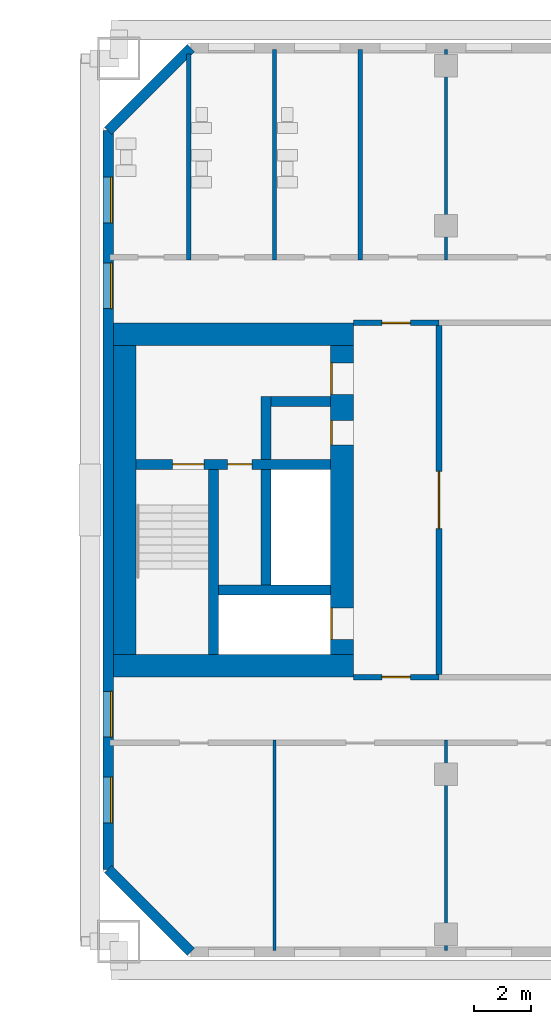
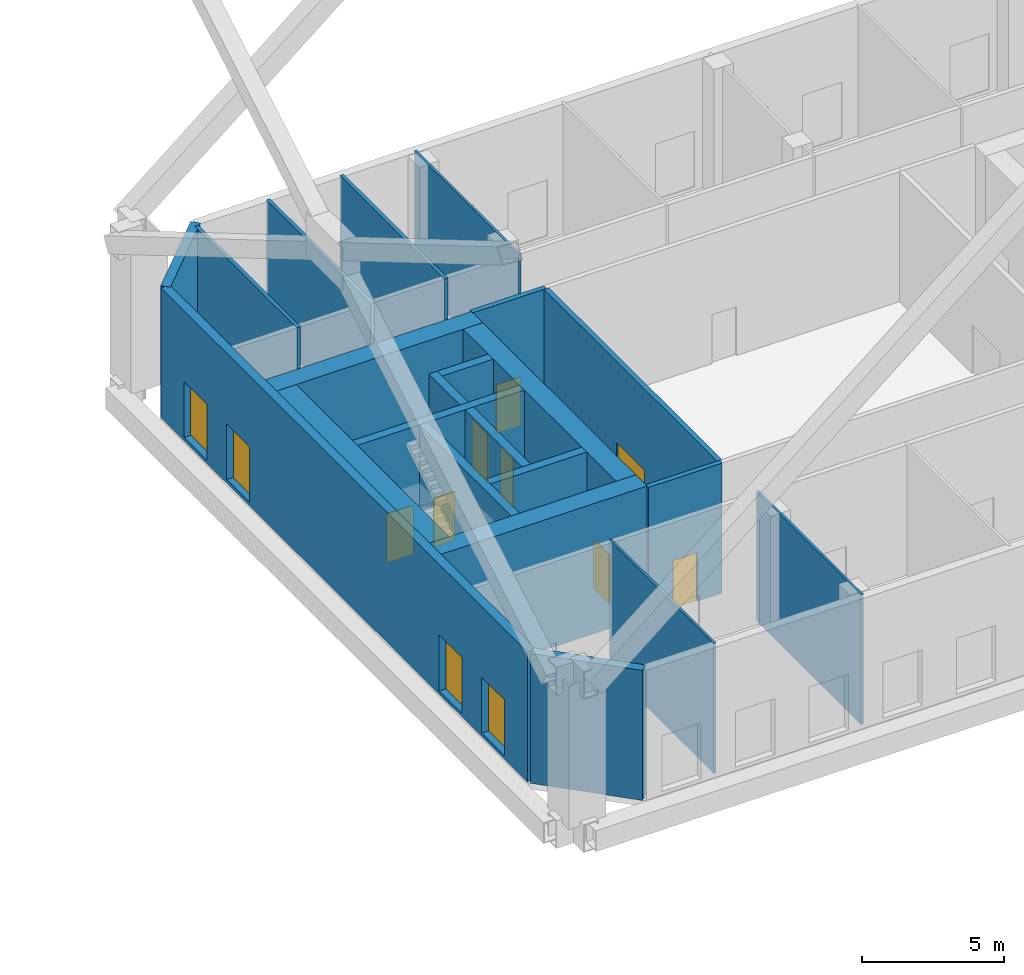
# One storey, part 13 of 20: 22 walls, 8 doors, 4 windows, 12 openings.
"""IFC4 building model written with IfcOpenShell, lengths in metres."""

import ifcopenshell
import ifcopenshell.guid

model = None  # the IFC model being written
_history = None  # IfcOwnerHistory: only IFC2X3 demands one
_inside = {}  # id of a spatial element -> (the spatial element, [elements in it])
_under = {}  # id of a project, library or spatial element -> (it, [spatial elements below it])
_declared = {}  # id of a project -> (the project, [libraries it declares])
_typed = {}  # id of a type object -> (the type object, [elements of that type])
_made_of = {}  # id of a material, layer set ... -> (it, [elements and type objects made of it])


def new_model(schema):
    """Start an empty IFC model of exactly this schema.

    Asked for "IFC4X3", IfcOpenShell would pick the latest addendum, in which some entities
    have other attributes; the version numbers below select the first issue.
    IFC2X3 requires an IfcOwnerHistory on every rooted entity: one is made here for all.
    """
    global model, _history
    if schema == "IFC4X3":
        model = ifcopenshell.file(schema_version=(4, 3, 0, 0))
    else:
        model = ifcopenshell.file(schema=schema)
    _inside.clear()
    _under.clear()
    _declared.clear()
    _typed.clear()
    _made_of.clear()
    _history = None
    if model.schema == "IFC2X3":
        org = make("IfcOrganization", Name="unknown")
        user = make(
            "IfcPersonAndOrganization",
            ThePerson=make("IfcPerson", FamilyName="unknown"),
            TheOrganization=org,
        )
        app = make(
            "IfcApplication",
            ApplicationDeveloper=org,
            Version="unknown",
            ApplicationFullName="unknown",
            ApplicationIdentifier="unknown",
        )
        _history = make(
            "IfcOwnerHistory",
            OwningUser=user,
            OwningApplication=app,
            ChangeAction="ADDED",
            CreationDate=0,
        )
    return model


def make(cls, **values):
    """One entity of the class cls with the attributes given. An attribute that is None is left unset."""
    return model.create_entity(
        cls, **{name: value for name, value in values.items() if value is not None}
    )


def rooted(cls, **values):
    """An entity with a GlobalId (a new one), such as an element, a storey or a relation."""
    return make(cls, GlobalId=ifcopenshell.guid.new(), OwnerHistory=_history, **values)


def si_unit(unit_type, name, prefix=None):
    """IfcSIUnit, for example si_unit("LENGTHUNIT", "METRE", prefix="MILLI")."""
    return make("IfcSIUnit", UnitType=unit_type, Prefix=prefix, Name=name)


def assignment(units):
    """IfcUnitAssignment: the units of a project."""
    return None if units is None else make("IfcUnitAssignment", Units=units)


def point(xyz):
    """IfcCartesianPoint."""
    return None if xyz is None else make("IfcCartesianPoint", Coordinates=xyz)


def direction(xyz):
    """IfcDirection."""
    return None if xyz is None else make("IfcDirection", DirectionRatios=xyz)


def frame(location, z_axis=None, x_axis=None):
    """IfcAxis2Placement3D, a coordinate frame: its origin and axes. An axis left out is left unset."""
    return make(
        "IfcAxis2Placement3D",
        Location=point(location),
        Axis=direction(z_axis),
        RefDirection=direction(x_axis),
    )


def frame_2d(location, x_axis=None):
    """IfcAxis2Placement2D, a coordinate frame in the plane: its origin and x axis."""
    return make(
        "IfcAxis2Placement2D", Location=point(location), RefDirection=direction(x_axis)
    )


def origin():
    """The frame at (0, 0, 0) with its axes left unset."""
    return frame((0.0, 0.0, 0.0))


def place(relative_to, where):
    """IfcLocalPlacement: puts the frame where relative to a parent placement (None: the world)."""
    return make(
        "IfcLocalPlacement", PlacementRelTo=relative_to, RelativePlacement=where
    )


def context(
    kind, dimensions, precision=None, world=None, true_north=None, identifier=None
):
    """IfcGeometricRepresentationContext, for example the 3D "Model" context."""
    return make(
        "IfcGeometricRepresentationContext",
        ContextIdentifier=identifier,
        ContextType=kind,
        CoordinateSpaceDimension=dimensions,
        Precision=precision,
        WorldCoordinateSystem=world,
        TrueNorth=true_north,
    )


def subcontext(parent, identifier, kind, view, scale=None):
    """IfcGeometricRepresentationSubContext, for example "Body" below "Model"."""
    return make(
        "IfcGeometricRepresentationSubContext",
        ContextIdentifier=identifier,
        ContextType=kind,
        ParentContext=parent,
        TargetScale=scale,
        TargetView=view,
    )


def project(units=None, contexts=None):
    """IfcProject with its units and contexts."""
    return rooted(
        "IfcProject",
        Name="project",
        RepresentationContexts=contexts,
        UnitsInContext=assignment(units),
    )


def spatial(cls, under=None, at=None, **own):
    """A site, building, storey or space (cls), placed at a placement, below another one or the project."""
    s = rooted(cls, ObjectPlacement=at, **own)
    if under is not None:
        _under.setdefault(under.id(), (under, []))[1].append(s)
    return s


def profile(cls, at=None, kind="AREA", **sizes):
    """A parametric profile (cls). Its sizes go by their IFC names, for example OverallWidth=200.0."""
    return make(cls, ProfileType=kind, Position=at, **sizes)


def rectangle(**sizes):
    """IfcRectangleProfileDef."""
    return profile("IfcRectangleProfileDef", **sizes)


def extrude(swept, where, along, depth):
    """IfcExtrudedAreaSolid: the profile swept, set in the frame where, extruded along a direction by depth."""
    return make(
        "IfcExtrudedAreaSolid",
        SweptArea=swept,
        Position=where,
        ExtrudedDirection=direction(along),
        Depth=depth,
    )


def shape(context_of_items, identifier, shape_type, items):
    """IfcShapeRepresentation: the items that make up one representation, for example the "Body"."""
    return make(
        "IfcShapeRepresentation",
        ContextOfItems=context_of_items,
        RepresentationIdentifier=identifier,
        RepresentationType=shape_type,
        Items=items,
    )


def material(Name=None, Category=None):
    """IfcMaterial."""
    return make("IfcMaterial", Name=Name, Category=Category)


def layer(
    of_material, thickness, ventilated=None, Name=None, Category=None, Priority=None
):
    """IfcMaterialLayer: one layer of a wall or slab, of a material (None: an air gap)."""
    return make(
        "IfcMaterialLayer",
        Material=of_material,
        LayerThickness=thickness,
        IsVentilated=ventilated,
        Name=Name,
        Category=Category,
        Priority=Priority,
    )


def layer_set(layers, Name=None):
    """IfcMaterialLayerSet."""
    return make("IfcMaterialLayerSet", MaterialLayers=layers, LayerSetName=Name)


def made_of(thing, what):
    """Note that an element or type object is made of a material, layer set ...; save() writes the relation."""
    if what is not None:
        _made_of.setdefault(what.id(), (what, []))[1].append(thing)
    return thing


def type_object(cls, material=None, **own):
    """A type object (cls), such as IfcWallType, which elements share."""
    return made_of(rooted(cls, **own), material)


def element(
    cls,
    number,
    at=None,
    inside=None,
    cuts=None,
    type_object=None,
    material=None,
    context=None,
    identifier="Body",
    shape_type=None,
    held_by="IfcProductDefinitionShape",
    body=None,
    shapes=None,
    **own,
):
    """One element of the class cls, such as IfcWall. Its Tag is "e" and its number.

    at: its placement. inside: the storey or other place that contains it. cuts: it is an
    opening in that element (IfcRelVoidsElement). A single representation is given by context,
    identifier, shape_type and body (its items); several are given by shapes. held_by: the class
    of the entity that holds the representations. save() writes the other relations.
    """
    e = rooted(cls, Tag="e%d" % number, ObjectPlacement=at, **own)
    if body is not None:
        shapes = [shape(context, identifier, shape_type, body)]
    if shapes is not None:
        e.Representation = make(held_by, Representations=shapes)
    if inside is not None:
        _inside.setdefault(inside.id(), (inside, []))[1].append(e)
    if cuts is not None:
        rooted(
            "IfcRelVoidsElement", RelatingBuildingElement=cuts, RelatedOpeningElement=e
        )
    if type_object is not None:
        _typed.setdefault(type_object.id(), (type_object, []))[1].append(e)
    return made_of(e, material)


def fill(opening, filler):
    """IfcRelFillsElement: the door or window that sits in an opening."""
    return rooted(
        "IfcRelFillsElement",
        RelatingOpeningElement=opening,
        RelatedBuildingElement=filler,
    )


def aggregate(whole, parts):
    """IfcRelAggregates: a whole, such as a stair, and the parts it consists of."""
    return rooted("IfcRelAggregates", RelatingObject=whole, RelatedObjects=parts)


def save(model, path):
    """Write the relations noted so far, then the file.

    IfcRelAggregates (storeys below a building ...), IfcRelContainedInSpatialStructure (elements
    in a storey), IfcRelDefinesByType, IfcRelAssociatesMaterial and IfcRelDeclares: one each for
    every whole, place, type object, material and project.
    """
    for whole, parts in _under.values():
        aggregate(whole, parts)
    for where, things in _inside.values():
        rooted(
            "IfcRelContainedInSpatialStructure",
            RelatedElements=things,
            RelatingStructure=where,
        )
    for kind, things in _typed.values():
        rooted("IfcRelDefinesByType", RelatedObjects=things, RelatingType=kind)
    for what, things in _made_of.values():
        rooted("IfcRelAssociatesMaterial", RelatedObjects=things, RelatingMaterial=what)
    for by, libraries in _declared.values():
        rooted("IfcRelDeclares", RelatingContext=by, RelatedDefinitions=libraries)
    model.write(path)


model = new_model("IFC4")

# Units and contexts
model_context = context("Model", 3, precision=1e-05, world=origin(), true_north=direction((0.0, 1.0)))
body_context = subcontext(model_context, "Body", "Model", "MODEL_VIEW")
ifc_project = project(units=[si_unit("LENGTHUNIT", "METRE"), si_unit("AREAUNIT", "SQUARE_METRE"), si_unit("VOLUMEUNIT", "CUBIC_METRE"), si_unit("PLANEANGLEUNIT", "RADIAN"), si_unit("MASSUNIT", "GRAM", prefix="KILO")], contexts=[model_context])

# Site, building, storey
site_placement = place(None, origin())
site = spatial("IfcSite", under=ifc_project, at=site_placement, CompositionType="ELEMENT")
building_placement = place(site_placement, origin())
building = spatial("IfcBuilding", under=site, at=building_placement, Name="Tuart Gate Housing", CompositionType="ELEMENT")
storey_placement = place(building_placement, frame((0.0, 0.0, 38.10009765625)))
storey = spatial("IfcBuildingStorey", under=building, at=storey_placement, Name="L10", CompositionType="ELEMENT", Elevation=38.10009765625)

# Walls
ifc_material_1 = material(Name="Gypsum board on steel studs", Category="steel")
ifc_layer_1 = layer(ifc_material_1, 0.14990234375)
ifc_layer_set_1 = layer_set([ifc_layer_1], Name="Bathroom wall 150")
wall_type_1 = type_object("IfcWallType", Name="Bathroom wall 150", PredefinedType="PLUMBINGWALL", material=ifc_layer_set_1)
wall_1_placement = place(storey_placement, frame((134.0, 78.39990234375, 0.0), z_axis=(0.0, 0.0, 1.0), x_axis=(0.0, 1.0, 0.0)))
element("IfcWall", 1, at=wall_1_placement, inside=storey, type_object=wall_type_1, Name="Bathroom wall 150", PredefinedType="PLUMBINGWALL", context=body_context, shape_type="SweptSolid", body=[
    extrude(rectangle(XDim=7.211181640625, YDim=0.14990234375, at=frame_2d((3.60546875, 0.0))), origin(), (0.0, 0.0, 1.0), 5.599853515625),
])
for number, where, z_axis, x_axis, name in (
    (2, (137.0, 78.39990234375, 0.0), (0.0, 0.0, 1.0), (0.0, 1.0, 0.0), "Bathroom wall 150"),
    (3, (140.0, 78.39990234375, 0.0), (0.0, 0.0, 1.0), (0.0, 1.0, 0.0), "Bathroom wall 150"),
):
    element("IfcWall", number, at=place(storey_placement, frame(where, z_axis=z_axis, x_axis=x_axis)), inside=storey, type_object=wall_type_1, Name=name, PredefinedType="PLUMBINGWALL", context=body_context, shape_type="SweptSolid", body=[
        extrude(rectangle(XDim=7.360107421875, YDim=0.14990234375, at=frame_2d((3.68017578125, 0.0))), origin(), (0.0, 0.0, 1.0), 5.599853515625),
    ])
ifc_material_2 = material(Name="Brick", Category="masonry")
ifc_layer_2 = layer(ifc_material_2, 0.360107421875)
ifc_layer_set_2 = layer_set([ifc_layer_2], Name="Brick pier and spandrel wall 360")
wall_type_2 = type_object("IfcWallType", Name="Brick pier and spandrel wall 360", PredefinedType="STANDARD", material=ifc_layer_set_2)
for number, where, z_axis, x_axis, name in (
    (4, (131.179931640625, 57.07470703125, 0.0), (0.0, 0.0, 1.0), (0.707106781187, -0.707106781187, 0.0), "External wall B-SW L10"),
    (5, (134.07470703125, 85.820068359375, 0.0), (0.0, 0.0, 1.0), (-0.707106781187, -0.707106781187, 0.0), "External wall B-NW L10"),
):
    element("IfcWall", number, at=place(storey_placement, frame(where, z_axis=z_axis, x_axis=x_axis)), inside=storey, type_object=wall_type_2, Name=name, PredefinedType="STANDARD", context=body_context, shape_type="SweptSolid", body=[
        extrude(rectangle(XDim=4.09375, YDim=0.360107421875, at=frame_2d((2.046875, 0.0))), origin(), (0.0, 0.0, 1.0), 5.599853515625),
    ])

# Wall, openings, windows
wall_2_placement = place(storey_placement, frame((131.179931640625, 82.92529296875, 0.0), z_axis=(0.0, 0.0, 1.0), x_axis=(0.0, -1.0, 0.0)))
wall_2 = element("IfcWall", 6, at=wall_2_placement, inside=storey, type_object=wall_type_2, Name="External wall B-W L10", PredefinedType="STANDARD", context=body_context, shape_type="SweptSolid", body=[
    extrude(rectangle(XDim=25.850830078125, YDim=0.360107421875, at=frame_2d((12.92529296875, 0.0))), origin(), (0.0, 0.0, 1.0), 5.599853515625),
])
opening_1_placement = place(wall_2_placement, frame((1.62548828125, 0.0, 0.14990234375)))
opening_1 = element("IfcOpeningElement", 7, at=opening_1_placement, cuts=wall_2, Name="Opening W2", PredefinedType="OPENING", context=body_context, shape_type="SweptSolid", body=[
    extrude(rectangle(XDim=1.60009765625, YDim=2.39990234375, at=frame_2d((0.800048828125, 1.199951171875))), frame((0.0, 0.18994140625, 0.0), z_axis=(0.0, -1.0, 0.0), x_axis=(1.0, 0.0, 0.0)), (0.0, 0.0, 1.0), 0.380126953125),
])
opening_2_placement = place(wall_2_placement, frame((4.62548828125, 0.0, 0.14990234375)))
opening_2 = element("IfcOpeningElement", 8, at=opening_2_placement, cuts=wall_2, Name="Opening W2", PredefinedType="OPENING", context=body_context, shape_type="SweptSolid", body=[
    extrude(rectangle(XDim=1.60009765625, YDim=2.39990234375, at=frame_2d((0.800048828125, 1.199951171875))), frame((0.0, 0.18994140625, 0.0), z_axis=(0.0, -1.0, 0.0), x_axis=(1.0, 0.0, 0.0)), (0.0, 0.0, 1.0), 0.380126953125),
])
opening_3_placement = place(wall_2_placement, frame((19.62548828125, 0.0, 0.14990234375)))
opening_3 = element("IfcOpeningElement", 9, at=opening_3_placement, cuts=wall_2, Name="Opening W2", PredefinedType="OPENING", context=body_context, shape_type="SweptSolid", body=[
    extrude(rectangle(XDim=1.60009765625, YDim=2.39990234375, at=frame_2d((0.800048828125, 1.199951171875))), frame((0.0, 0.18994140625, 0.0), z_axis=(0.0, -1.0, 0.0), x_axis=(1.0, 0.0, 0.0)), (0.0, 0.0, 1.0), 0.380126953125),
])
opening_4_placement = place(wall_2_placement, frame((22.62548828125, 0.0, 0.14990234375)))
opening_4 = element("IfcOpeningElement", 10, at=opening_4_placement, cuts=wall_2, Name="Opening W2", PredefinedType="OPENING", context=body_context, shape_type="SweptSolid", body=[
    extrude(rectangle(XDim=1.60009765625, YDim=2.39990234375, at=frame_2d((0.800048828125, 1.199951171875))), frame((0.0, 0.18994140625, 0.0), z_axis=(0.0, -1.0, 0.0), x_axis=(1.0, 0.0, 0.0)), (0.0, 0.0, 1.0), 0.380126953125),
])
ifc_material_3 = material(Name="Aluminium frame with clear glass", Category="aluminium")
window_type = type_object("IfcWindowType", Name="Garden lounge window 1600 x 2400", PartitioningType="SINGLE_PANEL", PredefinedType="WINDOW", material=ifc_material_3)
window_1_placement = place(opening_1_placement, origin())
window_1 = element("IfcWindow", 11, at=window_1_placement, inside=storey, type_object=window_type, Name="Window W2", OverallHeight=2.39990234375, OverallWidth=1.60009765625, PartitioningType="SINGLE_PANEL", PredefinedType="WINDOW", context=body_context, shape_type="SweptSolid", body=[
    extrude(rectangle(XDim=1.60009765625, YDim=2.39990234375, at=frame_2d((0.800048828125, 1.199951171875))), frame((0.0, 0.150146484375, 0.0), z_axis=(0.0, -1.0, 0.0), x_axis=(1.0, 0.0, 0.0)), (0.0, 0.0, 1.0), 0.06005859375),
])
fill(opening_1, window_1)
window_2_placement = place(opening_2_placement, origin())
window_2 = element("IfcWindow", 12, at=window_2_placement, inside=storey, type_object=window_type, Name="Window W2", OverallHeight=2.39990234375, OverallWidth=1.60009765625, PartitioningType="SINGLE_PANEL", PredefinedType="WINDOW", context=body_context, shape_type="SweptSolid", body=[
    extrude(rectangle(XDim=1.60009765625, YDim=2.39990234375, at=frame_2d((0.800048828125, 1.199951171875))), frame((0.0, 0.150146484375, 0.0), z_axis=(0.0, -1.0, 0.0), x_axis=(1.0, 0.0, 0.0)), (0.0, 0.0, 1.0), 0.06005859375),
])
fill(opening_2, window_2)
window_3_placement = place(opening_3_placement, origin())
window_3 = element("IfcWindow", 13, at=window_3_placement, inside=storey, type_object=window_type, Name="Window W2", OverallHeight=2.39990234375, OverallWidth=1.60009765625, PartitioningType="SINGLE_PANEL", PredefinedType="WINDOW", context=body_context, shape_type="SweptSolid", body=[
    extrude(rectangle(XDim=1.60009765625, YDim=2.39990234375, at=frame_2d((0.800048828125, 1.199951171875))), frame((0.0, 0.150146484375, 0.0), z_axis=(0.0, -1.0, 0.0), x_axis=(1.0, 0.0, 0.0)), (0.0, 0.0, 1.0), 0.06005859375),
])
fill(opening_3, window_3)
window_4_placement = place(opening_4_placement, origin())
window_4 = element("IfcWindow", 14, at=window_4_placement, inside=storey, type_object=window_type, Name="Window W2", OverallHeight=2.39990234375, OverallWidth=1.60009765625, PartitioningType="SINGLE_PANEL", PredefinedType="WINDOW", context=body_context, shape_type="SweptSolid", body=[
    extrude(rectangle(XDim=1.60009765625, YDim=2.39990234375, at=frame_2d((0.800048828125, 1.199951171875))), frame((0.0, 0.150146484375, 0.0), z_axis=(0.0, -1.0, 0.0), x_axis=(1.0, 0.0, 0.0)), (0.0, 0.0, 1.0), 0.06005859375),
])
fill(opening_4, window_4)

# Wall
ifc_material_4 = material(Name="Concrete C60", Category="concrete")
ifc_layer_3 = layer(ifc_material_4, 0.35009765625)
ifc_layer_set_3 = layer_set([ifc_layer_3], Name="Core wall 350 C60")
wall_type_3 = type_object("IfcWallType", Name="Core wall 350 C60", PredefinedType="SHEAR", material=ifc_layer_set_3)
wall_3_placement = place(storey_placement, frame((138.9599609375, 66.85009765625, 0.0), z_axis=(0.0, 0.0, 1.0), x_axis=(-1.0, 0.0, 0.0)))
element("IfcWall", 15, at=wall_3_placement, inside=storey, type_object=wall_type_3, Name="Core wall BG.1", PredefinedType="SHEAR", context=body_context, shape_type="SweptSolid", body=[
    extrude(rectangle(XDim=3.925048828125, YDim=0.35009765625, at=frame_2d((1.96240234375, 0.0))), origin(), (0.0, 0.0, 1.0), 5.599853515625),
])

# Wall, openings, doors
wall_4_placement = place(storey_placement, frame((138.9599609375, 71.25, 0.0), z_axis=(0.0, 0.0, 1.0), x_axis=(-1.0, 0.0, 0.0)))
wall_4 = element("IfcWall", 16, at=wall_4_placement, inside=storey, type_object=wall_type_3, Name="Core wall BG.2", PredefinedType="SHEAR", context=body_context, shape_type="SweptSolid", body=[
    extrude(rectangle(XDim=6.800048828125, YDim=0.35009765625, at=frame_2d((3.39990234375, 0.0))), origin(), (0.0, 0.0, 1.0), 5.599853515625),
])
opening_5_placement = place(wall_4_placement, frame((4.425048828125, 0.0, 0.0)))
opening_5 = element("IfcOpeningElement", 17, at=opening_5_placement, cuts=wall_4, Name="Opening D2833", PredefinedType="OPENING", context=body_context, shape_type="SweptSolid", body=[
    extrude(rectangle(XDim=1.10009765625, YDim=2.10009765625, at=frame_2d((0.550048828125, 1.050048828125))), frame((0.0, 0.18505859375, 0.0), z_axis=(0.0, -1.0, 0.0), x_axis=(1.0, 0.0, 0.0)), (0.0, 0.0, 1.0), 0.3701171875),
])
opening_6_placement = place(wall_4_placement, frame((2.75, 0.0, 0.0)))
opening_6 = element("IfcOpeningElement", 18, at=opening_6_placement, cuts=wall_4, Name="Opening D2832", PredefinedType="OPENING", context=body_context, shape_type="SweptSolid", body=[
    extrude(rectangle(XDim=0.85009765625, YDim=2.10009765625, at=frame_2d((0.425048828125, 1.050048828125))), frame((0.0, 0.18505859375, 0.0), z_axis=(0.0, -1.0, 0.0), x_axis=(1.0, 0.0, 0.0)), (0.0, 0.0, 1.0), 0.3701171875),
])
ifc_material_5 = material(Name="Steel fire door", Category="steel")
door_type_1 = type_object("IfcDoorType", Name="Riser door 850 x 2100", OperationType="SINGLE_SWING_LEFT", PredefinedType="DOOR", material=ifc_material_5)
door_1_placement = place(opening_6_placement, origin())
door_1 = element("IfcDoor", 19, at=door_1_placement, inside=storey, type_object=door_type_1, Name="Service room door BG.W1", OperationType="SINGLE_SWING_LEFT", OverallHeight=2.10009765625, OverallWidth=0.85009765625, PredefinedType="DOOR", context=body_context, shape_type="SweptSolid", body=[
    extrude(rectangle(XDim=0.85009765625, YDim=2.10009765625, at=frame_2d((0.425048828125, 1.050048828125))), frame((0.0, 0.02490234375, 0.0), z_axis=(0.0, -1.0, 0.0), x_axis=(1.0, 0.0, 0.0)), (0.0, 0.0, 1.0), 0.050048828125),
])
fill(opening_6, door_1)
ifc_material_6 = material(Name="Steel fire door", Category="steel")
door_type_2 = type_object("IfcDoorType", Name="Stair door 1100 x 2100", OperationType="SINGLE_SWING_LEFT", PredefinedType="DOOR", material=ifc_material_6)
door_2_placement = place(opening_5_placement, origin())
door_2 = element("IfcDoor", 20, at=door_2_placement, inside=storey, type_object=door_type_2, Name="Stair door BG.SD", OperationType="SINGLE_SWING_LEFT", OverallHeight=2.10009765625, OverallWidth=1.10009765625, PredefinedType="DOOR", context=body_context, shape_type="SweptSolid", body=[
    extrude(rectangle(XDim=1.10009765625, YDim=2.10009765625, at=frame_2d((0.550048828125, 1.050048828125))), frame((0.0, 0.02490234375, 0.0), z_axis=(0.0, -1.0, 0.0), x_axis=(1.0, 0.0, 0.0)), (0.0, 0.0, 1.0), 0.050048828125),
])
fill(opening_5, door_2)

# Walls
wall_5_placement = place(storey_placement, frame((138.9599609375, 73.449951171875, 0.0), z_axis=(0.0, 0.0, 1.0), x_axis=(-1.0, 0.0, 0.0)))
element("IfcWall", 21, at=wall_5_placement, inside=storey, type_object=wall_type_3, Name="Core wall BG.3", PredefinedType="SHEAR", context=body_context, shape_type="SweptSolid", body=[
    extrude(rectangle(XDim=2.074951171875, YDim=0.35009765625, at=frame_2d((1.03759765625, 0.0))), origin(), (0.0, 0.0, 1.0), 5.599853515625),
])
wall_6_placement = place(storey_placement, frame((136.7099609375, 67.02490234375, 0.0), z_axis=(0.0, 0.0, 1.0), x_axis=(0.0, 1.0, 0.0)))
element("IfcWall", 22, at=wall_6_placement, inside=storey, type_object=wall_type_3, Name="Core wall BG.4", PredefinedType="SHEAR", context=body_context, shape_type="SweptSolid", body=[
    extrude(rectangle(XDim=4.050048828125, YDim=0.35009765625, at=frame_2d((2.02490234375, 0.0))), origin(), (0.0, 0.0, 1.0), 5.599853515625),
])
wall_7_placement = place(storey_placement, frame((136.7099609375, 71.425048828125, 0.0), z_axis=(0.0, 0.0, 1.0), x_axis=(0.0, 1.0, 0.0)))
element("IfcWall", 23, at=wall_7_placement, inside=storey, type_object=wall_type_3, Name="Core wall BG.5", PredefinedType="SHEAR", context=body_context, shape_type="SweptSolid", body=[
    extrude(rectangle(XDim=2.199951171875, YDim=0.35009765625, at=frame_2d((1.10009765625, 0.0))), origin(), (0.0, 0.0, 1.0), 5.599853515625),
])
wall_8_placement = place(storey_placement, frame((134.860107421875, 64.60009765625, 0.0), z_axis=(0.0, 0.0, 1.0), x_axis=(0.0, 1.0, 0.0)))
element("IfcWall", 24, at=wall_8_placement, inside=storey, type_object=wall_type_3, Name="Core wall BG.6", PredefinedType="SHEAR", context=body_context, shape_type="SweptSolid", body=[
    extrude(rectangle(XDim=6.474853515625, YDim=0.35009765625, at=frame_2d((3.2373046875, 0.0))), origin(), (0.0, 0.0, 1.0), 5.599853515625),
])

# Wall, openings, doors
ifc_material_7 = material(Name="Concrete C60", Category="concrete")
ifc_layer_4 = layer(ifc_material_7, 0.800048828125)
ifc_layer_set_4 = layer_set([ifc_layer_4], Name="Core wall 800 C60")
wall_type_4 = type_object("IfcWallType", Name="Core wall 800 C60", PredefinedType="SHEAR", material=ifc_layer_set_4)
wall_9_placement = place(storey_placement, frame((139.360107421875, 64.60009765625, 0.0), z_axis=(0.0, 0.0, 1.0), x_axis=(0.0, 1.0, 0.0)))
wall_9 = element("IfcWall", 25, at=wall_9_placement, inside=storey, type_object=wall_type_4, Name="Core wall BG front", PredefinedType="SHEAR", context=body_context, shape_type="SweptSolid", body=[
    extrude(rectangle(XDim=10.7998046875, YDim=0.800048828125, at=frame_2d((5.39990234375, 0.0))), origin(), (0.0, 0.0, 1.0), 5.599853515625),
])
opening_7_placement = place(wall_9_placement, frame((0.52490234375, 0.0, 0.0)))
opening_7 = element("IfcOpeningElement", 26, at=opening_7_placement, cuts=wall_9, Name="Opening LD-FB1", PredefinedType="OPENING", context=body_context, shape_type="SweptSolid", body=[
    extrude(rectangle(XDim=1.10009765625, YDim=2.10009765625, at=frame_2d((0.550048828125, 1.050048828125))), frame((0.0, 0.409912109375, 0.0), z_axis=(0.0, -1.0, 0.0), x_axis=(1.0, 0.0, 0.0)), (0.0, 0.0, 1.0), 0.820068359375),
])
opening_8_placement = place(wall_9_placement, frame((9.10009765625, 0.0, 0.0)))
opening_8 = element("IfcOpeningElement", 27, at=opening_8_placement, cuts=wall_9, Name="Opening D2834", PredefinedType="OPENING", context=body_context, shape_type="SweptSolid", body=[
    extrude(rectangle(XDim=1.10009765625, YDim=2.10009765625, at=frame_2d((0.550048828125, 1.050048828125))), frame((0.0, 0.409912109375, 0.0), z_axis=(0.0, -1.0, 0.0), x_axis=(1.0, 0.0, 0.0)), (0.0, 0.0, 1.0), 0.820068359375),
])
opening_9_placement = place(wall_9_placement, frame((7.324951171875, 0.0, 0.0)))
opening_9 = element("IfcOpeningElement", 28, at=opening_9_placement, cuts=wall_9, Name="Opening D2835", PredefinedType="OPENING", context=body_context, shape_type="SweptSolid", body=[
    extrude(rectangle(XDim=0.85009765625, YDim=2.10009765625, at=frame_2d((0.425048828125, 1.050048828125))), frame((0.0, 0.409912109375, 0.0), z_axis=(0.0, -1.0, 0.0), x_axis=(1.0, 0.0, 0.0)), (0.0, 0.0, 1.0), 0.820068359375),
])
ifc_material_8 = material(Name="Stainless steel", Category="steel")
door_type_3 = type_object("IfcDoorType", Name="Landing door 1100 x 2100", OperationType="DOUBLE_DOOR_SLIDING", PredefinedType="DOOR", material=ifc_material_8)
door_3_placement = place(opening_7_placement, origin())
door_3 = element("IfcDoor", 29, at=door_3_placement, inside=storey, type_object=door_type_3, Name="Lift landing door FB1", OperationType="DOUBLE_DOOR_SLIDING", OverallHeight=2.10009765625, OverallWidth=1.10009765625, PredefinedType="DOOR", context=body_context, shape_type="SweptSolid", body=[
    extrude(rectangle(XDim=1.10009765625, YDim=2.10009765625, at=frame_2d((0.550048828125, 1.050048828125))), frame((0.0, 0.38525390625, 0.0), z_axis=(0.0, -1.0, 0.0), x_axis=(1.0, 0.0, 0.0)), (0.0, 0.0, 1.0), 0.050048828125),
])
fill(opening_7, door_3)
ifc_material_9 = material(Name="Steel fire door", Category="steel")
door_type_4 = type_object("IfcDoorType", Name="Lobby door 1100 x 2100", OperationType="SINGLE_SWING_LEFT", PredefinedType="DOOR", material=ifc_material_9)
door_4_placement = place(opening_8_placement, origin())
door_4 = element("IfcDoor", 30, at=door_4_placement, inside=storey, type_object=door_type_4, Name="Lobby entry door BG.EN", OperationType="SINGLE_SWING_LEFT", OverallHeight=2.10009765625, OverallWidth=1.10009765625, PredefinedType="DOOR", context=body_context, shape_type="SweptSolid", body=[
    extrude(rectangle(XDim=1.10009765625, YDim=2.10009765625, at=frame_2d((0.550048828125, 1.050048828125))), frame((0.0, 0.38525390625, 0.0), z_axis=(0.0, -1.0, 0.0), x_axis=(1.0, 0.0, 0.0)), (0.0, 0.0, 1.0), 0.050048828125),
])
fill(opening_8, door_4)
ifc_material_10 = material(Name="Steel fire door", Category="steel")
door_type_5 = type_object("IfcDoorType", Name="Service door 850 x 2100", OperationType="SINGLE_SWING_LEFT", PredefinedType="DOOR", material=ifc_material_10)
door_5_placement = place(opening_9_placement, origin())
door_5 = element("IfcDoor", 31, at=door_5_placement, inside=storey, type_object=door_type_5, Name="Service room door BG.T1", OperationType="SINGLE_SWING_LEFT", OverallHeight=2.10009765625, OverallWidth=0.85009765625, PredefinedType="DOOR", context=body_context, shape_type="SweptSolid", body=[
    extrude(rectangle(XDim=0.85009765625, YDim=2.10009765625, at=frame_2d((0.425048828125, 1.050048828125))), frame((0.0, 0.38525390625, 0.0), z_axis=(0.0, -1.0, 0.0), x_axis=(1.0, 0.0, 0.0)), (0.0, 0.0, 1.0), 0.050048828125),
])
fill(opening_9, door_5)

# Walls
wall_10_placement = place(storey_placement, frame((131.760009765625, 64.60009765625, 0.0), z_axis=(0.0, 0.0, 1.0), x_axis=(0.0, 1.0, 0.0)))
element("IfcWall", 32, at=wall_10_placement, inside=storey, type_object=wall_type_4, Name="Core wall BG back", PredefinedType="SHEAR", context=body_context, shape_type="SweptSolid", body=[
    extrude(rectangle(XDim=10.7998046875, YDim=0.800048828125, at=frame_2d((5.39990234375, 0.0))), origin(), (0.0, 0.0, 1.0), 5.599853515625),
])
for number, where, z_axis, x_axis, name in (
    (33, (139.760009765625, 64.199951171875, 0.0), (0.0, 0.0, 1.0), (-1.0, 0.0, 0.0), "Core wall BG south"),
    (34, (139.760009765625, 75.800048828125, 0.0), (0.0, 0.0, 1.0), (-1.0, 0.0, 0.0), "Core wall BG north"),
):
    element("IfcWall", number, at=place(storey_placement, frame(where, z_axis=z_axis, x_axis=x_axis)), inside=storey, type_object=wall_type_4, Name=name, PredefinedType="SHEAR", context=body_context, shape_type="SweptSolid", body=[
        extrude(rectangle(XDim=8.39990234375, YDim=0.800048828125, at=frame_2d((4.199951171875, 0.0))), origin(), (0.0, 0.0, 1.0), 5.599853515625),
    ])

# Wall, opening, door
ifc_material_11 = material(Name="Concrete masonry 15 MPa", Category="masonry")
ifc_layer_5 = layer(ifc_material_11, 0.199951171875)
ifc_layer_set_5 = layer_set([ifc_layer_5], Name="Enclosure wall masonry 200")
wall_type_5 = type_object("IfcWallType", Name="Enclosure wall masonry 200", PredefinedType="PARTITIONING", material=ifc_layer_set_5)
wall_11_placement = place(storey_placement, frame((139.760009765625, 63.800048828125, 0.0), z_axis=(0.0, 0.0, 1.0), x_axis=(1.0, 0.0, 0.0)))
wall_11 = element("IfcWall", 35, at=wall_11_placement, inside=storey, type_object=wall_type_5, Name="Enclosure wall masonry 200", PredefinedType="PARTITIONING", context=body_context, shape_type="SweptSolid", body=[
    extrude(rectangle(XDim=3.0, YDim=0.199951171875, at=frame_2d((1.5, 0.0))), origin(), (0.0, 0.0, 1.0), 5.599853515625),
])
opening_10_placement = place(wall_11_placement, frame((1.0, 0.0, 0.0)))
opening_10 = element("IfcOpeningElement", 36, at=opening_10_placement, cuts=wall_11, Name="Opening D2844", PredefinedType="OPENING", context=body_context, shape_type="SweptSolid", body=[
    extrude(rectangle(XDim=1.0, YDim=2.10009765625, at=frame_2d((0.5, 1.050048828125))), frame((0.0, 0.10986328125, 0.0), z_axis=(0.0, -1.0, 0.0), x_axis=(1.0, 0.0, 0.0)), (0.0, 0.0, 1.0), 0.219970703125),
])
ifc_material_12 = material(Name="Timber door leaf in steel frame", Category="steel")
door_type_6 = type_object("IfcDoorType", Name="Lobby door 1000 RH", OperationType="SINGLE_SWING_RIGHT", PredefinedType="DOOR", material=ifc_material_12)
door_6_placement = place(opening_10_placement, origin())
door_6 = element("IfcDoor", 37, at=door_6_placement, inside=storey, type_object=door_type_6, Name="Lobby door 1000", OperationType="SINGLE_SWING_RIGHT", OverallHeight=2.10009765625, OverallWidth=1.0, PredefinedType="DOOR", context=body_context, shape_type="SweptSolid", body=[
    extrude(rectangle(XDim=1.0, YDim=2.10009765625, at=frame_2d((0.5, 1.050048828125))), frame((0.0, 0.02490234375, 0.0), z_axis=(0.0, -1.0, 0.0), x_axis=(1.0, 0.0, 0.0)), (0.0, 0.0, 1.0), 0.050048828125),
])
fill(opening_10, door_6)

wall_12_placement = place(storey_placement, frame((139.760009765625, 76.199951171875, 0.0), z_axis=(0.0, 0.0, 1.0), x_axis=(1.0, 0.0, 0.0)))
wall_12 = element("IfcWall", 38, at=wall_12_placement, inside=storey, type_object=wall_type_5, Name="Enclosure wall masonry 200", PredefinedType="PARTITIONING", context=body_context, shape_type="SweptSolid", body=[
    extrude(rectangle(XDim=3.0, YDim=0.199951171875, at=frame_2d((1.5, 0.0))), origin(), (0.0, 0.0, 1.0), 5.599853515625),
])
opening_11_placement = place(wall_12_placement, frame((1.0, 0.0, 0.0)))
opening_11 = element("IfcOpeningElement", 39, at=opening_11_placement, cuts=wall_12, Name="Opening D2828", PredefinedType="OPENING", context=body_context, shape_type="SweptSolid", body=[
    extrude(rectangle(XDim=1.0, YDim=2.10009765625, at=frame_2d((0.5, 1.050048828125))), frame((0.0, 0.10986328125, 0.0), z_axis=(0.0, -1.0, 0.0), x_axis=(1.0, 0.0, 0.0)), (0.0, 0.0, 1.0), 0.219970703125),
])
ifc_material_13 = material(Name="Timber door leaf in steel frame", Category="steel")
door_type_7 = type_object("IfcDoorType", Name="Lobby door 1000", OperationType="SINGLE_SWING_LEFT", PredefinedType="DOOR", material=ifc_material_13)
door_7_placement = place(opening_11_placement, frame((1.0, 0.0, 0.0), z_axis=(0.0, 0.0, 1.0), x_axis=(-1.0, 0.0, 0.0)))
door_7 = element("IfcDoor", 40, at=door_7_placement, inside=storey, type_object=door_type_7, Name="Lobby door 1000", OperationType="SINGLE_SWING_LEFT", OverallHeight=2.10009765625, OverallWidth=1.0, PredefinedType="DOOR", context=body_context, shape_type="SweptSolid", body=[
    extrude(rectangle(XDim=1.0, YDim=2.10009765625, at=frame_2d((0.5, 1.050048828125))), frame((0.0, 0.025146484375, 0.0), z_axis=(0.0, -1.0, 0.0), x_axis=(1.0, 0.0, 0.0)), (0.0, 0.0, 1.0), 0.050048828125),
])
fill(opening_11, door_7)

ifc_material_14 = material(Name="Plasterboard partition")
ifc_layer_6 = layer(ifc_material_14, 0.199951171875)
ifc_layer_set_6 = layer_set([ifc_layer_6], Name="Lobby wall 200")
wall_type_6 = type_object("IfcWallType", Name="Lobby wall 200", PredefinedType="PARTITIONING", material=ifc_layer_set_6)
wall_13_placement = place(storey_placement, frame((142.760009765625, 63.89990234375, 0.0), z_axis=(0.0, 0.0, 1.0), x_axis=(0.0, 1.0, 0.0)))
wall_13 = element("IfcWall", 41, at=wall_13_placement, inside=storey, type_object=wall_type_6, Name="Lift lobby wall BG", PredefinedType="PARTITIONING", context=body_context, shape_type="SweptSolid", body=[
    extrude(rectangle(XDim=12.2001953125, YDim=0.199951171875, at=frame_2d((6.10009765625, 0.0))), origin(), (0.0, 0.0, 1.0), 5.599853515625),
])
opening_12_placement = place(wall_13_placement, frame((5.10009765625, 0.0, 0.0)))
opening_12 = element("IfcOpeningElement", 42, at=opening_12_placement, cuts=wall_13, Name="Opening D2836", PredefinedType="OPENING", context=body_context, shape_type="SweptSolid", body=[
    extrude(rectangle(XDim=2.0, YDim=2.10009765625, at=frame_2d((1.0, 1.050048828125))), frame((0.0, 0.10986328125, 0.0), z_axis=(0.0, -1.0, 0.0), x_axis=(1.0, 0.0, 0.0)), (0.0, 0.0, 1.0), 0.219970703125),
])
ifc_material_15 = material(Name="Steel fire door", Category="steel")
door_type_8 = type_object("IfcDoorType", Name="Smoke door 2000 x 2100", OperationType="DOUBLE_DOOR_SINGLE_SWING", PredefinedType="DOOR", material=ifc_material_15)
door_8_placement = place(opening_12_placement, frame((2.0, 0.0, 0.0), z_axis=(0.0, 0.0, 1.0), x_axis=(-1.0, 0.0, 0.0)))
door_8 = element("IfcDoor", 43, at=door_8_placement, inside=storey, type_object=door_type_8, Name="Lift lobby smoke door BG", OperationType="DOUBLE_DOOR_SINGLE_SWING", OverallHeight=2.10009765625, OverallWidth=2.0, PredefinedType="DOOR", context=body_context, shape_type="SweptSolid", body=[
    extrude(rectangle(XDim=2.0, YDim=2.10009765625, at=frame_2d((1.0, 1.050048828125))), frame((0.0, 0.025146484375, 0.0), z_axis=(0.0, -1.0, 0.0), x_axis=(1.0, 0.0, 0.0)), (0.0, 0.0, 1.0), 0.050048828125),
])
fill(opening_12, door_8)

# Walls
ifc_material_16 = material(Name="Gypsum board on steel studs", Category="steel")
ifc_layer_7 = layer(ifc_material_16, 0.10009765625)
ifc_layer_set_7 = layer_set([ifc_layer_7], Name="Partition 100")
wall_type_7 = type_object("IfcWallType", Name="Partition 100", PredefinedType="PARTITIONING", material=ifc_layer_set_7)
for number, where, z_axis, x_axis, name in (
    (44, (137.0, 54.239990234375, 0.0), (0.0, 0.0, 1.0), (0.0, 1.0, 0.0), "Partition 100"),
    (45, (143.0, 54.239990234375, 0.0), (0.0, 0.0, 1.0), (0.0, 1.0, 0.0), "Partition 100"),
    (46, (143.0, 78.39990234375, 0.0), (0.0, 0.0, 1.0), (0.0, 1.0, 0.0), "Partition 100"),
):
    element("IfcWall", number, at=place(storey_placement, frame(where, z_axis=z_axis, x_axis=x_axis)), inside=storey, type_object=wall_type_7, Name=name, PredefinedType="PARTITIONING", context=body_context, shape_type="SweptSolid", body=[
        extrude(rectangle(XDim=7.360107421875, YDim=0.10009765625, at=frame_2d((3.68017578125, 0.0))), origin(), (0.0, 0.0, 1.0), 5.599853515625),
    ])

save(model, "model.ifc")
